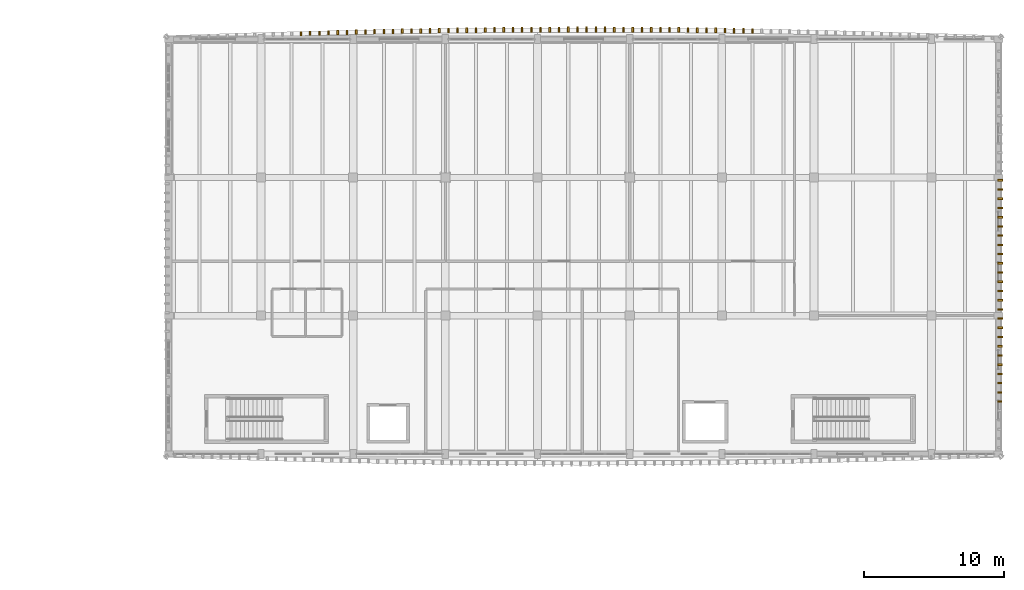
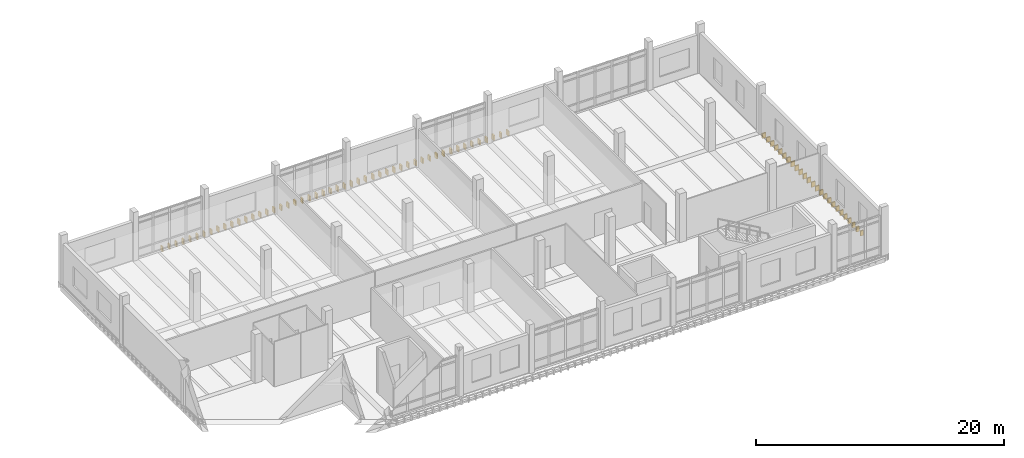
# One storey, part 75 of 76: 75 coverings.
"""IFC4 building model written with IfcOpenShell, lengths in metres."""

import ifcopenshell
import ifcopenshell.guid

model = None  # the IFC model being written
_history = None  # IfcOwnerHistory: only IFC2X3 demands one
_inside = {}  # id of a spatial element -> (the spatial element, [elements in it])
_under = {}  # id of a project, library or spatial element -> (it, [spatial elements below it])
_declared = {}  # id of a project -> (the project, [libraries it declares])
_typed = {}  # id of a type object -> (the type object, [elements of that type])
_made_of = {}  # id of a material, layer set ... -> (it, [elements and type objects made of it])


def new_model(schema):
    """Start an empty IFC model of exactly this schema.

    Asked for "IFC4X3", IfcOpenShell would pick the latest addendum, in which some entities
    have other attributes; the version numbers below select the first issue.
    IFC2X3 requires an IfcOwnerHistory on every rooted entity: one is made here for all.
    """
    global model, _history
    if schema == "IFC4X3":
        model = ifcopenshell.file(schema_version=(4, 3, 0, 0))
    else:
        model = ifcopenshell.file(schema=schema)
    _inside.clear()
    _under.clear()
    _declared.clear()
    _typed.clear()
    _made_of.clear()
    _history = None
    if model.schema == "IFC2X3":
        org = make("IfcOrganization", Name="unknown")
        user = make(
            "IfcPersonAndOrganization",
            ThePerson=make("IfcPerson", FamilyName="unknown"),
            TheOrganization=org,
        )
        app = make(
            "IfcApplication",
            ApplicationDeveloper=org,
            Version="unknown",
            ApplicationFullName="unknown",
            ApplicationIdentifier="unknown",
        )
        _history = make(
            "IfcOwnerHistory",
            OwningUser=user,
            OwningApplication=app,
            ChangeAction="ADDED",
            CreationDate=0,
        )
    return model


def make(cls, **values):
    """One entity of the class cls with the attributes given. An attribute that is None is left unset."""
    return model.create_entity(
        cls, **{name: value for name, value in values.items() if value is not None}
    )


def rooted(cls, **values):
    """An entity with a GlobalId (a new one), such as an element, a storey or a relation."""
    return make(cls, GlobalId=ifcopenshell.guid.new(), OwnerHistory=_history, **values)


def si_unit(unit_type, name, prefix=None):
    """IfcSIUnit, for example si_unit("LENGTHUNIT", "METRE", prefix="MILLI")."""
    return make("IfcSIUnit", UnitType=unit_type, Prefix=prefix, Name=name)


def assignment(units):
    """IfcUnitAssignment: the units of a project."""
    return None if units is None else make("IfcUnitAssignment", Units=units)


def point(xyz):
    """IfcCartesianPoint."""
    return None if xyz is None else make("IfcCartesianPoint", Coordinates=xyz)


def direction(xyz):
    """IfcDirection."""
    return None if xyz is None else make("IfcDirection", DirectionRatios=xyz)


def frame(location, z_axis=None, x_axis=None):
    """IfcAxis2Placement3D, a coordinate frame: its origin and axes. An axis left out is left unset."""
    return make(
        "IfcAxis2Placement3D",
        Location=point(location),
        Axis=direction(z_axis),
        RefDirection=direction(x_axis),
    )


def frame_2d(location, x_axis=None):
    """IfcAxis2Placement2D, a coordinate frame in the plane: its origin and x axis."""
    return make(
        "IfcAxis2Placement2D", Location=point(location), RefDirection=direction(x_axis)
    )


def origin():
    """The frame at (0, 0, 0) with its axes left unset."""
    return frame((0.0, 0.0, 0.0))


def origin_2d():
    """The frame at (0, 0) in the plane with its x axis left unset."""
    return frame_2d((0.0, 0.0))


def place(relative_to, where):
    """IfcLocalPlacement: puts the frame where relative to a parent placement (None: the world)."""
    return make(
        "IfcLocalPlacement", PlacementRelTo=relative_to, RelativePlacement=where
    )


def context(
    kind, dimensions, precision=None, world=None, true_north=None, identifier=None
):
    """IfcGeometricRepresentationContext, for example the 3D "Model" context."""
    return make(
        "IfcGeometricRepresentationContext",
        ContextIdentifier=identifier,
        ContextType=kind,
        CoordinateSpaceDimension=dimensions,
        Precision=precision,
        WorldCoordinateSystem=world,
        TrueNorth=true_north,
    )


def subcontext(parent, identifier, kind, view, scale=None):
    """IfcGeometricRepresentationSubContext, for example "Body" below "Model"."""
    return make(
        "IfcGeometricRepresentationSubContext",
        ContextIdentifier=identifier,
        ContextType=kind,
        ParentContext=parent,
        TargetScale=scale,
        TargetView=view,
    )


def project(units=None, contexts=None):
    """IfcProject with its units and contexts."""
    return rooted(
        "IfcProject",
        Name="project",
        RepresentationContexts=contexts,
        UnitsInContext=assignment(units),
    )


def spatial(cls, under=None, at=None, **own):
    """A site, building, storey or space (cls), placed at a placement, below another one or the project."""
    s = rooted(cls, ObjectPlacement=at, **own)
    if under is not None:
        _under.setdefault(under.id(), (under, []))[1].append(s)
    return s


def profile(cls, at=None, kind="AREA", **sizes):
    """A parametric profile (cls). Its sizes go by their IFC names, for example OverallWidth=200.0."""
    return make(cls, ProfileType=kind, Position=at, **sizes)


def rectangle(**sizes):
    """IfcRectangleProfileDef."""
    return profile("IfcRectangleProfileDef", **sizes)


def extrude(swept, where, along, depth):
    """IfcExtrudedAreaSolid: the profile swept, set in the frame where, extruded along a direction by depth."""
    return make(
        "IfcExtrudedAreaSolid",
        SweptArea=swept,
        Position=where,
        ExtrudedDirection=direction(along),
        Depth=depth,
    )


def shape(context_of_items, identifier, shape_type, items):
    """IfcShapeRepresentation: the items that make up one representation, for example the "Body"."""
    return make(
        "IfcShapeRepresentation",
        ContextOfItems=context_of_items,
        RepresentationIdentifier=identifier,
        RepresentationType=shape_type,
        Items=items,
    )


def material(Name=None, Category=None):
    """IfcMaterial."""
    return make("IfcMaterial", Name=Name, Category=Category)


def layer(
    of_material, thickness, ventilated=None, Name=None, Category=None, Priority=None
):
    """IfcMaterialLayer: one layer of a wall or slab, of a material (None: an air gap)."""
    return make(
        "IfcMaterialLayer",
        Material=of_material,
        LayerThickness=thickness,
        IsVentilated=ventilated,
        Name=Name,
        Category=Category,
        Priority=Priority,
    )


def layer_set(layers, Name=None):
    """IfcMaterialLayerSet."""
    return make("IfcMaterialLayerSet", MaterialLayers=layers, LayerSetName=Name)


def made_of(thing, what):
    """Note that an element or type object is made of a material, layer set ...; save() writes the relation."""
    if what is not None:
        _made_of.setdefault(what.id(), (what, []))[1].append(thing)
    return thing


def type_object(cls, material=None, **own):
    """A type object (cls), such as IfcWallType, which elements share."""
    return made_of(rooted(cls, **own), material)


def element(
    cls,
    number,
    at=None,
    inside=None,
    cuts=None,
    type_object=None,
    material=None,
    context=None,
    identifier="Body",
    shape_type=None,
    held_by="IfcProductDefinitionShape",
    body=None,
    shapes=None,
    **own,
):
    """One element of the class cls, such as IfcWall. Its Tag is "e" and its number.

    at: its placement. inside: the storey or other place that contains it. cuts: it is an
    opening in that element (IfcRelVoidsElement). A single representation is given by context,
    identifier, shape_type and body (its items); several are given by shapes. held_by: the class
    of the entity that holds the representations. save() writes the other relations.
    """
    e = rooted(cls, Tag="e%d" % number, ObjectPlacement=at, **own)
    if body is not None:
        shapes = [shape(context, identifier, shape_type, body)]
    if shapes is not None:
        e.Representation = make(held_by, Representations=shapes)
    if inside is not None:
        _inside.setdefault(inside.id(), (inside, []))[1].append(e)
    if cuts is not None:
        rooted(
            "IfcRelVoidsElement", RelatingBuildingElement=cuts, RelatedOpeningElement=e
        )
    if type_object is not None:
        _typed.setdefault(type_object.id(), (type_object, []))[1].append(e)
    return made_of(e, material)


def aggregate(whole, parts):
    """IfcRelAggregates: a whole, such as a stair, and the parts it consists of."""
    return rooted("IfcRelAggregates", RelatingObject=whole, RelatedObjects=parts)


def save(model, path):
    """Write the relations noted so far, then the file.

    IfcRelAggregates (storeys below a building ...), IfcRelContainedInSpatialStructure (elements
    in a storey), IfcRelDefinesByType, IfcRelAssociatesMaterial and IfcRelDeclares: one each for
    every whole, place, type object, material and project.
    """
    for whole, parts in _under.values():
        aggregate(whole, parts)
    for where, things in _inside.values():
        rooted(
            "IfcRelContainedInSpatialStructure",
            RelatedElements=things,
            RelatingStructure=where,
        )
    for kind, things in _typed.values():
        rooted("IfcRelDefinesByType", RelatedObjects=things, RelatingType=kind)
    for what, things in _made_of.values():
        rooted("IfcRelAssociatesMaterial", RelatedObjects=things, RelatingMaterial=what)
    for by, libraries in _declared.values():
        rooted("IfcRelDeclares", RelatingContext=by, RelatedDefinitions=libraries)
    model.write(path)


model = new_model("IFC4")

# Units and contexts
model_context = context("Model", 3, precision=1e-05, world=origin(), true_north=direction((0.0, 1.0)))
body_context = subcontext(model_context, "Body", "Model", "MODEL_VIEW")
ifc_project = project(units=[si_unit("LENGTHUNIT", "METRE"), si_unit("AREAUNIT", "SQUARE_METRE"), si_unit("VOLUMEUNIT", "CUBIC_METRE"), si_unit("PLANEANGLEUNIT", "RADIAN"), si_unit("MASSUNIT", "GRAM", prefix="KILO")], contexts=[model_context])

# Site, building, storey
site_placement = place(None, origin())
site = spatial("IfcSite", under=ifc_project, at=site_placement, CompositionType="ELEMENT")
building_placement = place(site_placement, origin())
building = spatial("IfcBuilding", under=site, at=building_placement, Name="Dornvale Research Institute", CompositionType="ELEMENT")
storey_placement = place(building_placement, frame((0.0, 0.0, 15.0)))
storey = spatial("IfcBuildingStorey", under=building, at=storey_placement, Name="L03", CompositionType="ELEMENT", Elevation=15.0)

# Coverings
ifc_material = material(Name="Polychrome Glazed Terracotta Visor Rib Ceramic", Category="masonry")
ifc_layer = layer(ifc_material, 0.1201171875)
ifc_layer_set = layer_set([ifc_layer], Name="Polychrome Glazed Terracotta Visor Rib Ceramic")
covering_type = type_object("IfcCoveringType", Name="Covering_VisorBlade_Low", PredefinedType="CLADDING", material=ifc_layer_set)
covering_1_placement = place(storey_placement, frame((160.59619140625, 122.684814453125, -0.489990234375), z_axis=(0.0, 0.0, 1.0), x_axis=(0.0, 1.0, 0.0)))
element("IfcCovering", 1, at=covering_1_placement, inside=storey, type_object=covering_type, Name="L03 V4 canted glazed terracotta visor blade #2370", PredefinedType="CLADDING", context=body_context, shape_type="SweptSolid", body=[
    extrude(rectangle(XDim=0.3330078125, YDim=0.1201171875, at=origin_2d()), origin(), (0.0, 0.0, 1.0), 0.5),
])
covering_2_placement = place(storey_placement, frame((159.936279296875, 122.6962890625, -0.489990234375), z_axis=(0.0, 0.0, 1.0), x_axis=(0.0, 1.0, 0.0)))
element("IfcCovering", 2, at=covering_2_placement, inside=storey, type_object=covering_type, Name="L03 V4 canted glazed terracotta visor blade #2371", PredefinedType="CLADDING", context=body_context, shape_type="SweptSolid", body=[
    extrude(rectangle(XDim=0.3359375, YDim=0.1201171875, at=origin_2d()), origin(), (0.0, 0.0, 1.0), 0.5),
])
covering_3_placement = place(storey_placement, frame((159.276611328125, 122.706787109375, -0.489990234375), z_axis=(0.0, 0.0, 1.0), x_axis=(0.0, 1.0, 0.0)))
element("IfcCovering", 3, at=covering_3_placement, inside=storey, type_object=covering_type, Name="L03 V4 canted glazed terracotta visor blade #2372", PredefinedType="CLADDING", context=body_context, shape_type="SweptSolid", body=[
    extrude(rectangle(XDim=0.339111328125, YDim=0.1201171875, at=origin_2d()), origin(), (0.0, 0.0, 1.0), 0.5),
])
covering_4_placement = place(storey_placement, frame((158.616455078125, 122.716552734375, -0.489990234375), z_axis=(0.0, 0.0, 1.0), x_axis=(0.0, 1.0, 0.0)))
element("IfcCovering", 4, at=covering_4_placement, inside=storey, type_object=covering_type, Name="L03 V4 canted glazed terracotta visor blade #2373", PredefinedType="CLADDING", context=body_context, shape_type="SweptSolid", body=[
    extrude(rectangle(XDim=0.341064453125, YDim=0.1201171875, at=origin_2d()), origin(), (0.0, 0.0, 1.0), 0.5),
])
covering_5_placement = place(storey_placement, frame((157.95654296875, 122.725830078125, -0.489990234375), z_axis=(0.0, 0.0, 1.0), x_axis=(0.0, 1.0, 0.0)))
element("IfcCovering", 5, at=covering_5_placement, inside=storey, type_object=covering_type, Name="L03 V4 canted glazed terracotta visor blade #2374", PredefinedType="CLADDING", context=body_context, shape_type="SweptSolid", body=[
    extrude(rectangle(XDim=0.343994140625, YDim=0.1201171875, at=origin_2d()), origin(), (0.0, 0.0, 1.0), 0.5),
])
covering_6_placement = place(storey_placement, frame((157.296630859375, 122.734375, -0.489990234375), z_axis=(0.0, 0.0, 1.0), x_axis=(0.0, 1.0, 0.0)))
element("IfcCovering", 6, at=covering_6_placement, inside=storey, type_object=covering_type, Name="L03 V4 canted glazed terracotta visor blade #2375", PredefinedType="CLADDING", context=body_context, shape_type="SweptSolid", body=[
    extrude(rectangle(XDim=0.345947265625, YDim=0.1201171875, at=origin_2d()), origin(), (0.0, 0.0, 1.0), 0.5),
])
covering_7_placement = place(storey_placement, frame((156.63671875, 122.74267578125, -0.489990234375), z_axis=(0.0, 0.0, 1.0), x_axis=(0.0, 1.0, 0.0)))
element("IfcCovering", 7, at=covering_7_placement, inside=storey, type_object=covering_type, Name="L03 V4 canted glazed terracotta visor blade #2376", PredefinedType="CLADDING", context=body_context, shape_type="SweptSolid", body=[
    extrude(rectangle(XDim=0.347900390625, YDim=0.1201171875, at=origin_2d()), origin(), (0.0, 0.0, 1.0), 0.5),
])
covering_8_placement = place(storey_placement, frame((155.976806640625, 122.749755859375, -0.489990234375), z_axis=(0.0, 0.0, 1.0), x_axis=(0.0, 1.0, 0.0)))
element("IfcCovering", 8, at=covering_8_placement, inside=storey, type_object=covering_type, Name="L03 V4 canted glazed terracotta visor blade #2377", PredefinedType="CLADDING", context=body_context, shape_type="SweptSolid", body=[
    extrude(rectangle(XDim=0.35009765625, YDim=0.1201171875, at=origin_2d()), origin(), (0.0, 0.0, 1.0), 0.5),
])
covering_9_placement = place(storey_placement, frame((155.316650390625, 122.7568359375, -0.489990234375), z_axis=(0.0, 0.0, 1.0), x_axis=(0.0, 1.0, 0.0)))
element("IfcCovering", 9, at=covering_9_placement, inside=storey, type_object=covering_type, Name="L03 V4 canted glazed terracotta visor blade #2378", PredefinedType="CLADDING", context=body_context, shape_type="SweptSolid", body=[
    extrude(rectangle(XDim=0.35205078125, YDim=0.1201171875, at=origin_2d()), origin(), (0.0, 0.0, 1.0), 0.5),
])
covering_10_placement = place(storey_placement, frame((154.65673828125, 122.762451171875, -0.489990234375), z_axis=(0.0, 0.0, 1.0), x_axis=(0.0, 1.0, 0.0)))
element("IfcCovering", 10, at=covering_10_placement, inside=storey, type_object=covering_type, Name="L03 V4 canted glazed terracotta visor blade #2379", PredefinedType="CLADDING", context=body_context, shape_type="SweptSolid", body=[
    extrude(rectangle(XDim=0.35302734375, YDim=0.1201171875, at=origin_2d()), origin(), (0.0, 0.0, 1.0), 0.5),
])
covering_11_placement = place(storey_placement, frame((153.99658203125, 122.768310546875, -0.489990234375), z_axis=(0.0, 0.0, 1.0), x_axis=(0.0, 1.0, 0.0)))
element("IfcCovering", 11, at=covering_11_placement, inside=storey, type_object=covering_type, Name="L03 V4 canted glazed terracotta visor blade #2380", PredefinedType="CLADDING", context=body_context, shape_type="SweptSolid", body=[
    extrude(rectangle(XDim=0.35498046875, YDim=0.1201171875, at=origin_2d()), origin(), (0.0, 0.0, 1.0), 0.5),
])
covering_12_placement = place(storey_placement, frame((153.3369140625, 122.773193359375, -0.489990234375), z_axis=(0.0, 0.0, 1.0), x_axis=(0.0, 1.0, 0.0)))
element("IfcCovering", 12, at=covering_12_placement, inside=storey, type_object=covering_type, Name="L03 V4 canted glazed terracotta visor blade #2381", PredefinedType="CLADDING", context=body_context, shape_type="SweptSolid", body=[
    extrude(rectangle(XDim=0.35595703125, YDim=0.1201171875, at=origin_2d()), origin(), (0.0, 0.0, 1.0), 0.5),
])
covering_13_placement = place(storey_placement, frame((152.6767578125, 122.777099609375, -0.489990234375), z_axis=(0.0, 0.0, 1.0), x_axis=(0.0, 1.0, 0.0)))
element("IfcCovering", 13, at=covering_13_placement, inside=storey, type_object=covering_type, Name="L03 V4 canted glazed terracotta visor blade #2382", PredefinedType="CLADDING", context=body_context, shape_type="SweptSolid", body=[
    extrude(rectangle(XDim=0.35693359375, YDim=0.1201171875, at=origin_2d()), origin(), (0.0, 0.0, 1.0), 0.5),
])
covering_14_placement = place(storey_placement, frame((152.016845703125, 122.781005859375, -0.489990234375), z_axis=(0.0, 0.0, 1.0), x_axis=(0.0, 1.0, 0.0)))
element("IfcCovering", 14, at=covering_14_placement, inside=storey, type_object=covering_type, Name="L03 V4 canted glazed terracotta visor blade #2383", PredefinedType="CLADDING", context=body_context, shape_type="SweptSolid", body=[
    extrude(rectangle(XDim=0.35791015625, YDim=0.1201171875, at=origin_2d()), origin(), (0.0, 0.0, 1.0), 0.5),
])
for number, where, z_axis, x_axis, name in (
    (15, (151.356689453125, 122.7841796875, -0.489990234375), (0.0, 0.0, 1.0), (0.0, 1.0, 0.0), "L03 V4 canted glazed terracotta visor blade #2384"),
    (16, (150.69677734375, 122.7861328125, -0.489990234375), (0.0, 0.0, 1.0), (0.0, 1.0, 0.0), "L03 V4 canted glazed terracotta visor blade #2385"),
):
    element("IfcCovering", number, at=place(storey_placement, frame(where, z_axis=z_axis, x_axis=x_axis)), inside=storey, type_object=covering_type, Name=name, PredefinedType="CLADDING", context=body_context, shape_type="SweptSolid", body=[
        extrude(rectangle(XDim=0.35888671875, YDim=0.1201171875, at=origin_2d()), origin(), (0.0, 0.0, 1.0), 0.5),
    ])
for number, where, z_axis, x_axis, name in (
    (17, (150.036865234375, 122.788330078125, -0.489990234375), (0.0, 0.0, 1.0), (0.0, 1.0, 0.0), "L03 V4 canted glazed terracotta visor blade #2386"),
    (18, (149.376708984375, 122.7890625, -0.489990234375), (0.0, 0.0, 1.0), (0.0, 1.0, 0.0), "L03 V4 canted glazed terracotta visor blade #2387"),
    (19, (148.716796875, 122.789794921875, -0.489990234375), (0.0, 0.0, 1.0), (0.0, 1.0, 0.0), "L03 V4 canted glazed terracotta visor blade #2388"),
    (20, (148.056884765625, 122.78955078125, -0.489990234375), (0.0, 0.0, 1.0), (0.0, 1.0, 0.0), "L03 V4 canted glazed terracotta visor blade #2389"),
    (21, (147.396728515625, 122.788818359375, -0.489990234375), (0.0, 0.0, 1.0), (0.0, 1.0, 0.0), "L03 V4 canted glazed terracotta visor blade #2390"),
):
    element("IfcCovering", number, at=place(storey_placement, frame(where, z_axis=z_axis, x_axis=x_axis)), inside=storey, type_object=covering_type, Name=name, PredefinedType="CLADDING", context=body_context, shape_type="SweptSolid", body=[
        extrude(rectangle(XDim=0.360107421875, YDim=0.1201171875, at=origin_2d()), origin(), (0.0, 0.0, 1.0), 0.5),
    ])
for number, where, z_axis, x_axis, name in (
    (22, (146.73681640625, 122.78759765625, -0.489990234375), (0.0, 0.0, 1.0), (0.0, 1.0, 0.0), "L03 V4 canted glazed terracotta visor blade #2391"),
    (23, (146.076904296875, 122.785400390625, -0.489990234375), (0.0, 0.0, 1.0), (0.0, 1.0, 0.0), "L03 V4 canted glazed terracotta visor blade #2392"),
):
    element("IfcCovering", number, at=place(storey_placement, frame(where, z_axis=z_axis, x_axis=x_axis)), inside=storey, type_object=covering_type, Name=name, PredefinedType="CLADDING", context=body_context, shape_type="SweptSolid", body=[
        extrude(rectangle(XDim=0.35888671875, YDim=0.1201171875, at=origin_2d()), origin(), (0.0, 0.0, 1.0), 0.5),
    ])
covering_15_placement = place(storey_placement, frame((145.416748046875, 122.782958984375, -0.489990234375), z_axis=(0.0, 0.0, 1.0), x_axis=(0.0, 1.0, 0.0)))
element("IfcCovering", 24, at=covering_15_placement, inside=storey, type_object=covering_type, Name="L03 V4 canted glazed terracotta visor blade #2393", PredefinedType="CLADDING", context=body_context, shape_type="SweptSolid", body=[
    extrude(rectangle(XDim=0.35791015625, YDim=0.1201171875, at=origin_2d()), origin(), (0.0, 0.0, 1.0), 0.5),
])
covering_16_placement = place(storey_placement, frame((144.7568359375, 122.779296875, -0.489990234375), z_axis=(0.0, 0.0, 1.0), x_axis=(0.0, 1.0, 0.0)))
element("IfcCovering", 25, at=covering_16_placement, inside=storey, type_object=covering_type, Name="L03 V4 canted glazed terracotta visor blade #2394", PredefinedType="CLADDING", context=body_context, shape_type="SweptSolid", body=[
    extrude(rectangle(XDim=0.35693359375, YDim=0.1201171875, at=origin_2d()), origin(), (0.0, 0.0, 1.0), 0.5),
])
covering_17_placement = place(storey_placement, frame((144.0966796875, 122.775390625, -0.489990234375), z_axis=(0.0, 0.0, 1.0), x_axis=(0.0, 1.0, 0.0)))
element("IfcCovering", 26, at=covering_17_placement, inside=storey, type_object=covering_type, Name="L03 V4 canted glazed terracotta visor blade #2395", PredefinedType="CLADDING", context=body_context, shape_type="SweptSolid", body=[
    extrude(rectangle(XDim=0.35595703125, YDim=0.1201171875, at=origin_2d()), origin(), (0.0, 0.0, 1.0), 0.5),
])
covering_18_placement = place(storey_placement, frame((143.436767578125, 122.771484375, -0.489990234375), z_axis=(0.0, 0.0, 1.0), x_axis=(0.0, 1.0, 0.0)))
element("IfcCovering", 27, at=covering_18_placement, inside=storey, type_object=covering_type, Name="L03 V4 canted glazed terracotta visor blade #2396", PredefinedType="CLADDING", context=body_context, shape_type="SweptSolid", body=[
    extrude(rectangle(XDim=0.35498046875, YDim=0.1201171875, at=origin_2d()), origin(), (0.0, 0.0, 1.0), 0.5),
])
covering_19_placement = place(storey_placement, frame((142.77685546875, 122.76611328125, -0.489990234375), z_axis=(0.0, 0.0, 1.0), x_axis=(0.0, 1.0, 0.0)))
element("IfcCovering", 28, at=covering_19_placement, inside=storey, type_object=covering_type, Name="L03 V4 canted glazed terracotta visor blade #2397", PredefinedType="CLADDING", context=body_context, shape_type="SweptSolid", body=[
    extrude(rectangle(XDim=0.35400390625, YDim=0.1201171875, at=origin_2d()), origin(), (0.0, 0.0, 1.0), 0.5),
])
covering_20_placement = place(storey_placement, frame((142.116943359375, 122.760986328125, -0.489990234375), z_axis=(0.0, 0.0, 1.0), x_axis=(0.0, 1.0, 0.0)))
element("IfcCovering", 29, at=covering_20_placement, inside=storey, type_object=covering_type, Name="L03 V4 canted glazed terracotta visor blade #2398", PredefinedType="CLADDING", context=body_context, shape_type="SweptSolid", body=[
    extrude(rectangle(XDim=0.35302734375, YDim=0.1201171875, at=origin_2d()), origin(), (0.0, 0.0, 1.0), 0.5),
])
covering_21_placement = place(storey_placement, frame((141.456787109375, 122.754150390625, -0.489990234375), z_axis=(0.0, 0.0, 1.0), x_axis=(0.0, 1.0, 0.0)))
element("IfcCovering", 30, at=covering_21_placement, inside=storey, type_object=covering_type, Name="L03 V4 canted glazed terracotta visor blade #2399", PredefinedType="CLADDING", context=body_context, shape_type="SweptSolid", body=[
    extrude(rectangle(XDim=0.35107421875, YDim=0.1201171875, at=origin_2d()), origin(), (0.0, 0.0, 1.0), 0.5),
])
covering_22_placement = place(storey_placement, frame((140.796875, 122.7470703125, -0.489990234375), z_axis=(0.0, 0.0, 1.0), x_axis=(0.0, 1.0, 0.0)))
element("IfcCovering", 31, at=covering_22_placement, inside=storey, type_object=covering_type, Name="L03 V4 canted glazed terracotta visor blade #2400", PredefinedType="CLADDING", context=body_context, shape_type="SweptSolid", body=[
    extrude(rectangle(XDim=0.34912109375, YDim=0.1201171875, at=origin_2d()), origin(), (0.0, 0.0, 1.0), 0.5),
])
covering_23_placement = place(storey_placement, frame((140.136962890625, 122.73974609375, -0.489990234375), z_axis=(0.0, 0.0, 1.0), x_axis=(0.0, 1.0, 0.0)))
element("IfcCovering", 32, at=covering_23_placement, inside=storey, type_object=covering_type, Name="L03 V4 canted glazed terracotta visor blade #2401", PredefinedType="CLADDING", context=body_context, shape_type="SweptSolid", body=[
    extrude(rectangle(XDim=0.346923828125, YDim=0.1201171875, at=origin_2d()), origin(), (0.0, 0.0, 1.0), 0.5),
])
covering_24_placement = place(storey_placement, frame((139.47705078125, 122.731201171875, -0.489990234375), z_axis=(0.0, 0.0, 1.0), x_axis=(0.0, 1.0, 0.0)))
element("IfcCovering", 33, at=covering_24_placement, inside=storey, type_object=covering_type, Name="L03 V4 canted glazed terracotta visor blade #2402", PredefinedType="CLADDING", context=body_context, shape_type="SweptSolid", body=[
    extrude(rectangle(XDim=0.344970703125, YDim=0.1201171875, at=origin_2d()), origin(), (0.0, 0.0, 1.0), 0.5),
])
covering_25_placement = place(storey_placement, frame((138.81689453125, 122.722900390625, -0.489990234375), z_axis=(0.0, 0.0, 1.0), x_axis=(0.0, 1.0, 0.0)))
element("IfcCovering", 34, at=covering_25_placement, inside=storey, type_object=covering_type, Name="L03 V4 canted glazed terracotta visor blade #2403", PredefinedType="CLADDING", context=body_context, shape_type="SweptSolid", body=[
    extrude(rectangle(XDim=0.343017578125, YDim=0.1201171875, at=origin_2d()), origin(), (0.0, 0.0, 1.0), 0.5),
])
covering_26_placement = place(storey_placement, frame((138.156982421875, 122.71337890625, -0.489990234375), z_axis=(0.0, 0.0, 1.0), x_axis=(0.0, 1.0, 0.0)))
element("IfcCovering", 35, at=covering_26_placement, inside=storey, type_object=covering_type, Name="L03 V4 canted glazed terracotta visor blade #2404", PredefinedType="CLADDING", context=body_context, shape_type="SweptSolid", body=[
    extrude(rectangle(XDim=0.341064453125, YDim=0.1201171875, at=origin_2d()), origin(), (0.0, 0.0, 1.0), 0.5),
])
covering_27_placement = place(storey_placement, frame((137.4970703125, 122.703125, -0.489990234375), z_axis=(0.0, 0.0, 1.0), x_axis=(0.0, 1.0, 0.0)))
element("IfcCovering", 36, at=covering_27_placement, inside=storey, type_object=covering_type, Name="L03 V4 canted glazed terracotta visor blade #2405", PredefinedType="CLADDING", context=body_context, shape_type="SweptSolid", body=[
    extrude(rectangle(XDim=0.337890625, YDim=0.1201171875, at=origin_2d()), origin(), (0.0, 0.0, 1.0), 0.5),
])
covering_28_placement = place(storey_placement, frame((136.837158203125, 122.692626953125, -0.489990234375), z_axis=(0.0, 0.0, 1.0), x_axis=(0.0, 1.0, 0.0)))
element("IfcCovering", 37, at=covering_28_placement, inside=storey, type_object=covering_type, Name="L03 V4 canted glazed terracotta visor blade #2406", PredefinedType="CLADDING", context=body_context, shape_type="SweptSolid", body=[
    extrude(rectangle(XDim=0.3349609375, YDim=0.1201171875, at=origin_2d()), origin(), (0.0, 0.0, 1.0), 0.5),
])
covering_29_placement = place(storey_placement, frame((136.17724609375, 122.680908203125, -0.489990234375), z_axis=(0.0, 0.0, 1.0), x_axis=(0.0, 1.0, 0.0)))
element("IfcCovering", 38, at=covering_29_placement, inside=storey, type_object=covering_type, Name="L03 V4 canted glazed terracotta visor blade #2407", PredefinedType="CLADDING", context=body_context, shape_type="SweptSolid", body=[
    extrude(rectangle(XDim=0.33203125, YDim=0.1201171875, at=origin_2d()), origin(), (0.0, 0.0, 1.0), 0.5),
])
covering_30_placement = place(storey_placement, frame((135.517333984375, 122.669189453125, -0.489990234375), z_axis=(0.0, 0.0, 1.0), x_axis=(0.0, 1.0, 0.0)))
element("IfcCovering", 39, at=covering_30_placement, inside=storey, type_object=covering_type, Name="L03 V4 canted glazed terracotta visor blade #2408", PredefinedType="CLADDING", context=body_context, shape_type="SweptSolid", body=[
    extrude(rectangle(XDim=0.3291015625, YDim=0.1201171875, at=origin_2d()), origin(), (0.0, 0.0, 1.0), 0.5),
])
covering_31_placement = place(storey_placement, frame((134.857421875, 122.656494140625, -0.489990234375), z_axis=(0.0, 0.0, 1.0), x_axis=(0.0, 1.0, 0.0)))
element("IfcCovering", 40, at=covering_31_placement, inside=storey, type_object=covering_type, Name="L03 V4 canted glazed terracotta visor blade #2409", PredefinedType="CLADDING", context=body_context, shape_type="SweptSolid", body=[
    extrude(rectangle(XDim=0.325927734375, YDim=0.1201171875, at=origin_2d()), origin(), (0.0, 0.0, 1.0), 0.5),
])
covering_32_placement = place(storey_placement, frame((134.197509765625, 122.6435546875, -0.489990234375), z_axis=(0.0, 0.0, 1.0), x_axis=(0.0, 1.0, 0.0)))
element("IfcCovering", 41, at=covering_32_placement, inside=storey, type_object=covering_type, Name="L03 V4 canted glazed terracotta visor blade #2410", PredefinedType="CLADDING", context=body_context, shape_type="SweptSolid", body=[
    extrude(rectangle(XDim=0.322998046875, YDim=0.1201171875, at=origin_2d()), origin(), (0.0, 0.0, 1.0), 0.5),
])
covering_33_placement = place(storey_placement, frame((133.53759765625, 122.6298828125, -0.489990234375), z_axis=(0.0, 0.0, 1.0), x_axis=(0.0, 1.0, 0.0)))
element("IfcCovering", 42, at=covering_33_placement, inside=storey, type_object=covering_type, Name="L03 V4 canted glazed terracotta visor blade #2411", PredefinedType="CLADDING", context=body_context, shape_type="SweptSolid", body=[
    extrude(rectangle(XDim=0.319091796875, YDim=0.1201171875, at=origin_2d()), origin(), (0.0, 0.0, 1.0), 0.5),
])
covering_34_placement = place(storey_placement, frame((132.877685546875, 122.615478515625, -0.489990234375), z_axis=(0.0, 0.0, 1.0), x_axis=(0.0, 1.0, 0.0)))
element("IfcCovering", 43, at=covering_34_placement, inside=storey, type_object=covering_type, Name="L03 V4 canted glazed terracotta visor blade #2412", PredefinedType="CLADDING", context=body_context, shape_type="SweptSolid", body=[
    extrude(rectangle(XDim=0.31591796875, YDim=0.1201171875, at=origin_2d()), origin(), (0.0, 0.0, 1.0), 0.5),
])
covering_35_placement = place(storey_placement, frame((132.218017578125, 122.6005859375, -0.489990234375), z_axis=(0.0, 0.0, 1.0), x_axis=(0.0, 1.0, 0.0)))
element("IfcCovering", 44, at=covering_35_placement, inside=storey, type_object=covering_type, Name="L03 V4 canted glazed terracotta visor blade #2413", PredefinedType="CLADDING", context=body_context, shape_type="SweptSolid", body=[
    extrude(rectangle(XDim=0.31201171875, YDim=0.1201171875, at=origin_2d()), origin(), (0.0, 0.0, 1.0), 0.5),
])
covering_36_placement = place(storey_placement, frame((131.55810546875, 122.584716796875, -0.489990234375), z_axis=(0.0, 0.0, 1.0), x_axis=(0.0, 1.0, 0.0)))
element("IfcCovering", 45, at=covering_36_placement, inside=storey, type_object=covering_type, Name="L03 V4 canted glazed terracotta visor blade #2414", PredefinedType="CLADDING", context=body_context, shape_type="SweptSolid", body=[
    extrude(rectangle(XDim=0.30810546875, YDim=0.1201171875, at=origin_2d()), origin(), (0.0, 0.0, 1.0), 0.5),
])
covering_37_placement = place(storey_placement, frame((130.898193359375, 122.568359375, -0.489990234375), z_axis=(0.0, 0.0, 1.0), x_axis=(0.0, 1.0, 0.0)))
element("IfcCovering", 46, at=covering_37_placement, inside=storey, type_object=covering_type, Name="L03 V4 canted glazed terracotta visor blade #2415", PredefinedType="CLADDING", context=body_context, shape_type="SweptSolid", body=[
    extrude(rectangle(XDim=0.303955078125, YDim=0.1201171875, at=origin_2d()), origin(), (0.0, 0.0, 1.0), 0.5),
])
covering_38_placement = place(storey_placement, frame((130.23828125, 122.552001953125, -0.489990234375), z_axis=(0.0, 0.0, 1.0), x_axis=(0.0, 1.0, 0.0)))
element("IfcCovering", 47, at=covering_38_placement, inside=storey, type_object=covering_type, Name="L03 V4 canted glazed terracotta visor blade #2416", PredefinedType="CLADDING", context=body_context, shape_type="SweptSolid", body=[
    extrude(rectangle(XDim=0.300048828125, YDim=0.1201171875, at=origin_2d()), origin(), (0.0, 0.0, 1.0), 0.5),
])
covering_39_placement = place(storey_placement, frame((129.57861328125, 122.533935546875, -0.489990234375), z_axis=(0.0, 0.0, 1.0), x_axis=(0.0, 1.0, 0.0)))
element("IfcCovering", 48, at=covering_39_placement, inside=storey, type_object=covering_type, Name="L03 V4 canted glazed terracotta visor blade #2417", PredefinedType="CLADDING", context=body_context, shape_type="SweptSolid", body=[
    extrude(rectangle(XDim=0.294921875, YDim=0.1201171875, at=origin_2d()), origin(), (0.0, 0.0, 1.0), 0.5),
])
covering_40_placement = place(storey_placement, frame((128.918701171875, 122.515869140625, -0.489990234375), z_axis=(0.0, 0.0, 1.0), x_axis=(0.0, 1.0, 0.0)))
element("IfcCovering", 49, at=covering_40_placement, inside=storey, type_object=covering_type, Name="L03 V4 canted glazed terracotta visor blade #2418", PredefinedType="CLADDING", context=body_context, shape_type="SweptSolid", body=[
    extrude(rectangle(XDim=0.2900390625, YDim=0.1201171875, at=origin_2d()), origin(), (0.0, 0.0, 1.0), 0.5),
])
covering_41_placement = place(storey_placement, frame((128.2587890625, 122.497314453125, -0.489990234375), z_axis=(0.0, 0.0, 1.0), x_axis=(0.0, 1.0, 0.0)))
element("IfcCovering", 50, at=covering_41_placement, inside=storey, type_object=covering_type, Name="L03 V4 canted glazed terracotta visor blade #2419", PredefinedType="CLADDING", context=body_context, shape_type="SweptSolid", body=[
    extrude(rectangle(XDim=0.285888671875, YDim=0.1201171875, at=origin_2d()), origin(), (0.0, 0.0, 1.0), 0.5),
])
covering_42_placement = place(storey_placement, frame((178.29541015625, 96.14990234375, -0.489990234375), z_axis=(0.0, 0.0, 1.0), x_axis=(1.0, 0.0, 0.0)))
element("IfcCovering", 51, at=covering_42_placement, inside=storey, type_object=covering_type, Name="L03 V4 canted glazed terracotta visor blade #2438", PredefinedType="CLADDING", context=body_context, shape_type="SweptSolid", body=[
    extrude(rectangle(XDim=0.27099609375, YDim=0.1201171875, at=origin_2d()), origin(), (0.0, 0.0, 1.0), 0.5),
])
covering_43_placement = place(storey_placement, frame((178.300537109375, 96.81005859375, -0.489990234375), z_axis=(0.0, 0.0, 1.0), x_axis=(1.0, 0.0, 0.0)))
element("IfcCovering", 52, at=covering_43_placement, inside=storey, type_object=covering_type, Name="L03 V4 canted glazed terracotta visor blade #2439", PredefinedType="CLADDING", context=body_context, shape_type="SweptSolid", body=[
    extrude(rectangle(XDim=0.281005859375, YDim=0.1201171875, at=origin_2d()), origin(), (0.0, 0.0, 1.0), 0.5),
])
covering_44_placement = place(storey_placement, frame((178.305419921875, 97.469970703125, -0.489990234375), z_axis=(0.0, 0.0, 1.0), x_axis=(1.0, 0.0, 0.0)))
element("IfcCovering", 53, at=covering_44_placement, inside=storey, type_object=covering_type, Name="L03 V4 canted glazed terracotta visor blade #2440", PredefinedType="CLADDING", context=body_context, shape_type="SweptSolid", body=[
    extrude(rectangle(XDim=0.291015625, YDim=0.1201171875, at=origin_2d()), origin(), (0.0, 0.0, 1.0), 0.5),
])
covering_45_placement = place(storey_placement, frame((178.31005859375, 98.1298828125, -0.489990234375), z_axis=(0.0, 0.0, 1.0), x_axis=(1.0, 0.0, 0.0)))
element("IfcCovering", 54, at=covering_45_placement, inside=storey, type_object=covering_type, Name="L03 V4 canted glazed terracotta visor blade #2441", PredefinedType="CLADDING", context=body_context, shape_type="SweptSolid", body=[
    extrude(rectangle(XDim=0.300048828125, YDim=0.1201171875, at=origin_2d()), origin(), (0.0, 0.0, 1.0), 0.5),
])
covering_46_placement = place(storey_placement, frame((178.31396484375, 98.7900390625, -0.489990234375), z_axis=(0.0, 0.0, 1.0), x_axis=(1.0, 0.0, 0.0)))
element("IfcCovering", 55, at=covering_46_placement, inside=storey, type_object=covering_type, Name="L03 V4 canted glazed terracotta visor blade #2442", PredefinedType="CLADDING", context=body_context, shape_type="SweptSolid", body=[
    extrude(rectangle(XDim=0.30810546875, YDim=0.1201171875, at=origin_2d()), origin(), (0.0, 0.0, 1.0), 0.5),
])
covering_47_placement = place(storey_placement, frame((178.318115234375, 99.449951171875, -0.489990234375), z_axis=(0.0, 0.0, 1.0), x_axis=(1.0, 0.0, 0.0)))
element("IfcCovering", 56, at=covering_47_placement, inside=storey, type_object=covering_type, Name="L03 V4 canted glazed terracotta visor blade #2443", PredefinedType="CLADDING", context=body_context, shape_type="SweptSolid", body=[
    extrude(rectangle(XDim=0.31591796875, YDim=0.1201171875, at=origin_2d()), origin(), (0.0, 0.0, 1.0), 0.5),
])
covering_48_placement = place(storey_placement, frame((178.321533203125, 100.110107421875, -0.489990234375), z_axis=(0.0, 0.0, 1.0), x_axis=(1.0, 0.0, 0.0)))
element("IfcCovering", 57, at=covering_48_placement, inside=storey, type_object=covering_type, Name="L03 V4 canted glazed terracotta visor blade #2444", PredefinedType="CLADDING", context=body_context, shape_type="SweptSolid", body=[
    extrude(rectangle(XDim=0.322998046875, YDim=0.1201171875, at=origin_2d()), origin(), (0.0, 0.0, 1.0), 0.5),
])
covering_49_placement = place(storey_placement, frame((178.324951171875, 100.77001953125, -0.489990234375), z_axis=(0.0, 0.0, 1.0), x_axis=(1.0, 0.0, 0.0)))
element("IfcCovering", 58, at=covering_49_placement, inside=storey, type_object=covering_type, Name="L03 V4 canted glazed terracotta visor blade #2445", PredefinedType="CLADDING", context=body_context, shape_type="SweptSolid", body=[
    extrude(rectangle(XDim=0.330078125, YDim=0.1201171875, at=origin_2d()), origin(), (0.0, 0.0, 1.0), 0.5),
])
covering_50_placement = place(storey_placement, frame((178.327392578125, 101.429931640625, -0.489990234375), z_axis=(0.0, 0.0, 1.0), x_axis=(1.0, 0.0, 0.0)))
element("IfcCovering", 59, at=covering_50_placement, inside=storey, type_object=covering_type, Name="L03 V4 canted glazed terracotta visor blade #2446", PredefinedType="CLADDING", context=body_context, shape_type="SweptSolid", body=[
    extrude(rectangle(XDim=0.3349609375, YDim=0.1201171875, at=origin_2d()), origin(), (0.0, 0.0, 1.0), 0.5),
])
covering_51_placement = place(storey_placement, frame((178.33056640625, 102.090087890625, -0.489990234375), z_axis=(0.0, 0.0, 1.0), x_axis=(1.0, 0.0, 0.0)))
element("IfcCovering", 60, at=covering_51_placement, inside=storey, type_object=covering_type, Name="L03 V4 canted glazed terracotta visor blade #2447", PredefinedType="CLADDING", context=body_context, shape_type="SweptSolid", body=[
    extrude(rectangle(XDim=0.341064453125, YDim=0.1201171875, at=origin_2d()), origin(), (0.0, 0.0, 1.0), 0.5),
])
covering_52_placement = place(storey_placement, frame((178.33251953125, 102.75, -0.489990234375), z_axis=(0.0, 0.0, 1.0), x_axis=(1.0, 0.0, 0.0)))
element("IfcCovering", 61, at=covering_52_placement, inside=storey, type_object=covering_type, Name="L03 V4 canted glazed terracotta visor blade #2448", PredefinedType="CLADDING", context=body_context, shape_type="SweptSolid", body=[
    extrude(rectangle(XDim=0.344970703125, YDim=0.1201171875, at=origin_2d()), origin(), (0.0, 0.0, 1.0), 0.5),
])
covering_53_placement = place(storey_placement, frame((178.33447265625, 103.409912109375, -0.489990234375), z_axis=(0.0, 0.0, 1.0), x_axis=(1.0, 0.0, 0.0)))
element("IfcCovering", 62, at=covering_53_placement, inside=storey, type_object=covering_type, Name="L03 V4 canted glazed terracotta visor blade #2449", PredefinedType="CLADDING", context=body_context, shape_type="SweptSolid", body=[
    extrude(rectangle(XDim=0.34912109375, YDim=0.1201171875, at=origin_2d()), origin(), (0.0, 0.0, 1.0), 0.5),
])
covering_54_placement = place(storey_placement, frame((178.33642578125, 104.070068359375, -0.489990234375), z_axis=(0.0, 0.0, 1.0), x_axis=(1.0, 0.0, 0.0)))
element("IfcCovering", 63, at=covering_54_placement, inside=storey, type_object=covering_type, Name="L03 V4 canted glazed terracotta visor blade #2450", PredefinedType="CLADDING", context=body_context, shape_type="SweptSolid", body=[
    extrude(rectangle(XDim=0.35302734375, YDim=0.1201171875, at=origin_2d()), origin(), (0.0, 0.0, 1.0), 0.5),
])
covering_55_placement = place(storey_placement, frame((178.33740234375, 104.72998046875, -0.489990234375), z_axis=(0.0, 0.0, 1.0), x_axis=(1.0, 0.0, 0.0)))
element("IfcCovering", 64, at=covering_55_placement, inside=storey, type_object=covering_type, Name="L03 V4 canted glazed terracotta visor blade #2451", PredefinedType="CLADDING", context=body_context, shape_type="SweptSolid", body=[
    extrude(rectangle(XDim=0.35498046875, YDim=0.1201171875, at=origin_2d()), origin(), (0.0, 0.0, 1.0), 0.5),
])
covering_56_placement = place(storey_placement, frame((178.33837890625, 105.389892578125, -0.489990234375), z_axis=(0.0, 0.0, 1.0), x_axis=(1.0, 0.0, 0.0)))
element("IfcCovering", 65, at=covering_56_placement, inside=storey, type_object=covering_type, Name="L03 V4 canted glazed terracotta visor blade #2452", PredefinedType="CLADDING", context=body_context, shape_type="SweptSolid", body=[
    extrude(rectangle(XDim=0.35693359375, YDim=0.1201171875, at=origin_2d()), origin(), (0.0, 0.0, 1.0), 0.5),
])
covering_57_placement = place(storey_placement, frame((178.339599609375, 106.050048828125, -0.489990234375), z_axis=(0.0, 0.0, 1.0), x_axis=(1.0, 0.0, 0.0)))
element("IfcCovering", 66, at=covering_57_placement, inside=storey, type_object=covering_type, Name="L03 V4 canted glazed terracotta visor blade #2453", PredefinedType="CLADDING", context=body_context, shape_type="SweptSolid", body=[
    extrude(rectangle(XDim=0.35888671875, YDim=0.1201171875, at=origin_2d()), origin(), (0.0, 0.0, 1.0), 0.5),
])
for number, where, z_axis, x_axis, name in (
    (67, (178.340087890625, 106.7099609375, -0.489990234375), (0.0, 0.0, 1.0), (1.0, 0.0, 0.0), "L03 V4 canted glazed terracotta visor blade #2454"),
    (68, (178.340087890625, 107.3701171875, -0.489990234375), (0.0, 0.0, 1.0), (1.0, 0.0, 0.0), "L03 V4 canted glazed terracotta visor blade #2455"),
    (69, (178.340087890625, 108.030029296875, -0.489990234375), (0.0, 0.0, 1.0), (1.0, 0.0, 0.0), "L03 V4 canted glazed terracotta visor blade #2456"),
):
    element("IfcCovering", number, at=place(storey_placement, frame(where, z_axis=z_axis, x_axis=x_axis)), inside=storey, type_object=covering_type, Name=name, PredefinedType="CLADDING", context=body_context, shape_type="SweptSolid", body=[
        extrude(rectangle(XDim=0.360107421875, YDim=0.1201171875, at=origin_2d()), origin(), (0.0, 0.0, 1.0), 0.5),
    ])
covering_58_placement = place(storey_placement, frame((178.339111328125, 108.68994140625, -0.489990234375), z_axis=(0.0, 0.0, 1.0), x_axis=(1.0, 0.0, 0.0)))
element("IfcCovering", 70, at=covering_58_placement, inside=storey, type_object=covering_type, Name="L03 V4 canted glazed terracotta visor blade #2457", PredefinedType="CLADDING", context=body_context, shape_type="SweptSolid", body=[
    extrude(rectangle(XDim=0.35791015625, YDim=0.1201171875, at=origin_2d()), origin(), (0.0, 0.0, 1.0), 0.5),
])
covering_59_placement = place(storey_placement, frame((178.33837890625, 109.35009765625, -0.489990234375), z_axis=(0.0, 0.0, 1.0), x_axis=(1.0, 0.0, 0.0)))
element("IfcCovering", 71, at=covering_59_placement, inside=storey, type_object=covering_type, Name="L03 V4 canted glazed terracotta visor blade #2458", PredefinedType="CLADDING", context=body_context, shape_type="SweptSolid", body=[
    extrude(rectangle(XDim=0.35693359375, YDim=0.1201171875, at=origin_2d()), origin(), (0.0, 0.0, 1.0), 0.5),
])
covering_60_placement = place(storey_placement, frame((178.3369140625, 110.010009765625, -0.489990234375), z_axis=(0.0, 0.0, 1.0), x_axis=(1.0, 0.0, 0.0)))
element("IfcCovering", 72, at=covering_60_placement, inside=storey, type_object=covering_type, Name="L03 V4 canted glazed terracotta visor blade #2459", PredefinedType="CLADDING", context=body_context, shape_type="SweptSolid", body=[
    extrude(rectangle(XDim=0.35400390625, YDim=0.1201171875, at=origin_2d()), origin(), (0.0, 0.0, 1.0), 0.5),
])
covering_61_placement = place(storey_placement, frame((178.3359375, 110.669921875, -0.489990234375), z_axis=(0.0, 0.0, 1.0), x_axis=(1.0, 0.0, 0.0)))
element("IfcCovering", 73, at=covering_61_placement, inside=storey, type_object=covering_type, Name="L03 V4 canted glazed terracotta visor blade #2460", PredefinedType="CLADDING", context=body_context, shape_type="SweptSolid", body=[
    extrude(rectangle(XDim=0.35205078125, YDim=0.1201171875, at=origin_2d()), origin(), (0.0, 0.0, 1.0), 0.5),
])
covering_62_placement = place(storey_placement, frame((178.333984375, 111.330078125, -0.489990234375), z_axis=(0.0, 0.0, 1.0), x_axis=(1.0, 0.0, 0.0)))
element("IfcCovering", 74, at=covering_62_placement, inside=storey, type_object=covering_type, Name="L03 V4 canted glazed terracotta visor blade #2461", PredefinedType="CLADDING", context=body_context, shape_type="SweptSolid", body=[
    extrude(rectangle(XDim=0.347900390625, YDim=0.1201171875, at=origin_2d()), origin(), (0.0, 0.0, 1.0), 0.5),
])
covering_63_placement = place(storey_placement, frame((178.33203125, 111.989990234375, -0.489990234375), z_axis=(0.0, 0.0, 1.0), x_axis=(1.0, 0.0, 0.0)))
element("IfcCovering", 75, at=covering_63_placement, inside=storey, type_object=covering_type, Name="L03 V4 canted glazed terracotta visor blade #2462", PredefinedType="CLADDING", context=body_context, shape_type="SweptSolid", body=[
    extrude(rectangle(XDim=0.343994140625, YDim=0.1201171875, at=origin_2d()), origin(), (0.0, 0.0, 1.0), 0.5),
])

save(model, "model.ifc")
